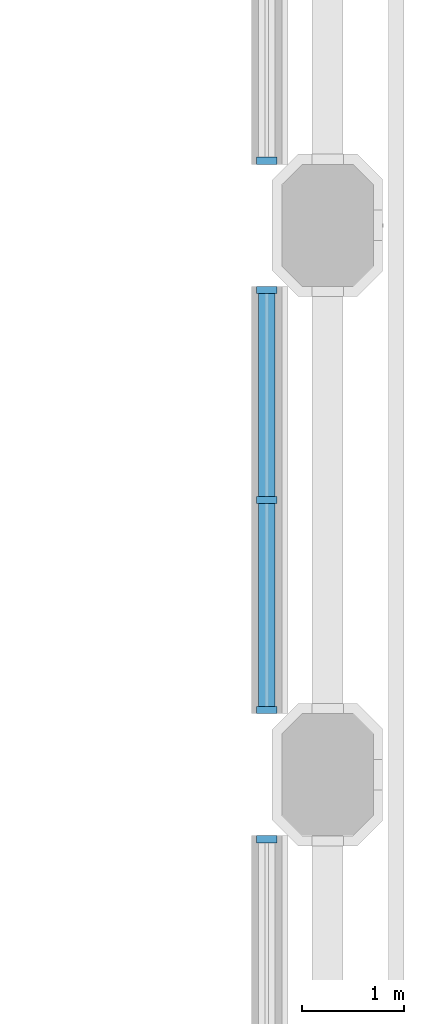
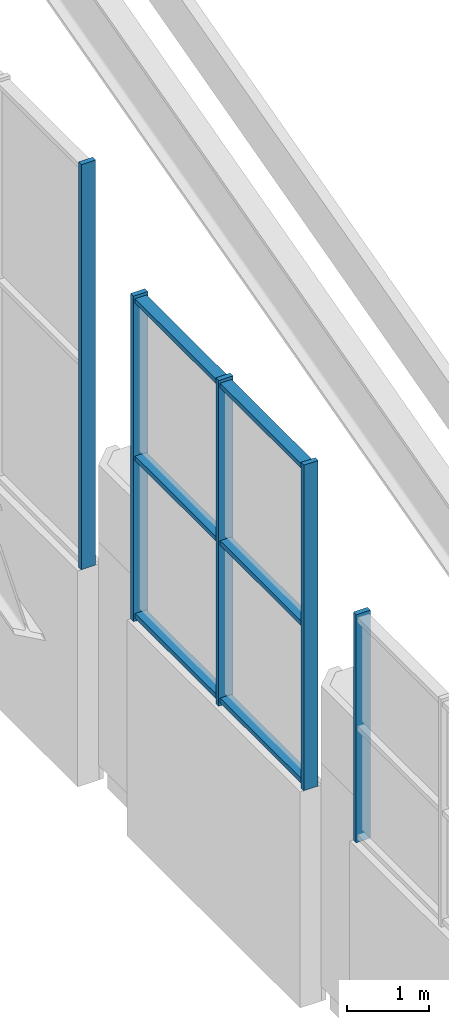
# One storey, part 18 of 42: 11 members, 3 elements without a shape of their own.
"""IFC4 building model written with IfcOpenShell, lengths in metres."""

from ifc_helpers import new_model, si_unit, direction, frame, origin, origin_2d, place, context, subcontext, project, spatial, rectangle, extrude, material, material_profile, profile_set, type_object, element, aggregate, save


model = new_model("IFC4")

# Units and contexts
model_context = context("Model", 3, precision=1e-05, world=origin(), true_north=direction((0.0, 1.0)))
body_context = subcontext(model_context, "Body", "Model", "MODEL_VIEW")
ifc_project = project(units=[si_unit("LENGTHUNIT", "METRE"), si_unit("AREAUNIT", "SQUARE_METRE"), si_unit("VOLUMEUNIT", "CUBIC_METRE"), si_unit("PLANEANGLEUNIT", "RADIAN"), si_unit("MASSUNIT", "GRAM", prefix="KILO")], contexts=[model_context])

# Site, building, storey
site_placement = place(None, origin())
site = spatial("IfcSite", under=ifc_project, at=site_placement, CompositionType="ELEMENT")
building_placement = place(site_placement, origin())
building = spatial("IfcBuilding", under=site, at=building_placement, Name="Tabaq Tower and Sports Hall", CompositionType="ELEMENT")
storey_placement = place(building_placement, frame((0.0, 0.0, 19.800048828125)))
storey = spatial("IfcBuildingStorey", under=building, at=storey_placement, Name="L03", CompositionType="ELEMENT", Elevation=19.800048828125)

# Curtain wall, member
ifc_material_1 = material(Name="Aluminium alloy 6063-T6 framed glazing", Category="aluminium")
curtain_wall_type = type_object("IfcCurtainWallType", Name="CW6 curtain wall", PredefinedType="USERDEFINED", material=ifc_material_1)
curtain_wall_1_placement = place(storey_placement, origin())
curtain_wall_1 = element("IfcCurtainWall", 1, at=curtain_wall_1_placement, inside=storey, type_object=curtain_wall_type, Name="L03 E hall glazing run", ObjectType="HALL FACADE WALL", PredefinedType="USERDEFINED")
ifc_material_2 = material(Name="Aluminium alloy 6063-T6", Category="aluminium")
ifc_material_profile_1 = material_profile(ifc_material_2, rectangle(XDim=0.199951171875, YDim=0.070068359375, at=origin_2d()), Name="MULLION 200x70")
ifc_profile_set_1 = profile_set([ifc_material_profile_1], Name="Aluminium alloy 6063-T6")
member_type_1 = type_object("IfcMemberType", Name="CW6 mullion 200x70", PredefinedType="MULLION", material=ifc_profile_set_1)
member_1_placement = place(storey_placement, frame((123.60009765625, 15.56494140625, 3.199951171875), z_axis=(0.0, 0.0, 1.0), x_axis=(-1.0, 0.0, 0.0)))
member_1 = element("IfcMember", 2, at=member_1_placement, type_object=member_type_1, Name="CW6 mullion 3", PredefinedType="MULLION", context=body_context, shape_type="SweptSolid", body=[
    extrude(rectangle(XDim=0.199951171875, YDim=0.070068359375, at=origin_2d()), origin(), (0.0, 0.0, 1.0), 3.376708984375),
])
aggregate(curtain_wall_1, [member_1])

# Curtain wall, members
curtain_wall_2_placement = place(storey_placement, origin())
curtain_wall_2 = element("IfcCurtainWall", 3, at=curtain_wall_2_placement, inside=storey, type_object=curtain_wall_type, Name="L03 E hall glazing run", ObjectType="HALL FACADE WALL", PredefinedType="USERDEFINED")
member_2_placement = place(storey_placement, frame((123.60009765625, 16.8349609375, 3.199951171875), z_axis=(0.0, 0.0, 1.0), x_axis=(-1.0, 0.0, 0.0)))
member_2 = element("IfcMember", 4, at=member_2_placement, type_object=member_type_1, Name="CW6 mullion 1", PredefinedType="MULLION", context=body_context, shape_type="SweptSolid", body=[
    extrude(rectangle(XDim=0.199951171875, YDim=0.070068359375, at=origin_2d()), origin(), (0.0, 0.0, 1.0), 4.82373046875),
])
member_3_placement = place(storey_placement, frame((123.60009765625, 18.89990234375, 3.199951171875), z_axis=(0.0, 0.0, 1.0), x_axis=(-1.0, 0.0, 0.0)))
member_3 = element("IfcMember", 5, at=member_3_placement, type_object=member_type_1, Name="CW6 mullion 2", PredefinedType="MULLION", context=body_context, shape_type="SweptSolid", body=[
    extrude(rectangle(XDim=0.199951171875, YDim=0.070068359375, at=origin_2d()), origin(), (0.0, 0.0, 1.0), 4.82373046875),
])
member_4_placement = place(storey_placement, frame((123.60009765625, 20.965087890625, 3.199951171875), z_axis=(0.0, 0.0, 1.0), x_axis=(-1.0, 0.0, 0.0)))
member_4 = element("IfcMember", 6, at=member_4_placement, type_object=member_type_1, Name="CW6 mullion 3", PredefinedType="MULLION", context=body_context, shape_type="SweptSolid", body=[
    extrude(rectangle(XDim=0.199951171875, YDim=0.070068359375, at=origin_2d()), origin(), (0.0, 0.0, 1.0), 4.82373046875),
])

# Curtain wall, member
curtain_wall_3_placement = place(storey_placement, origin())
curtain_wall_3 = element("IfcCurtainWall", 7, at=curtain_wall_3_placement, inside=storey, type_object=curtain_wall_type, Name="L03 E hall glazing run", ObjectType="HALL FACADE WALL", PredefinedType="USERDEFINED")
member_5_placement = place(storey_placement, frame((123.60009765625, 22.235107421875, 3.199951171875), z_axis=(0.0, 0.0, 1.0), x_axis=(-1.0, 0.0, 0.0)))
member_5 = element("IfcMember", 8, at=member_5_placement, type_object=member_type_1, Name="CW6 mullion 1", PredefinedType="MULLION", context=body_context, shape_type="SweptSolid", body=[
    extrude(rectangle(XDim=0.199951171875, YDim=0.070068359375, at=origin_2d()), origin(), (0.0, 0.0, 1.0), 6.0),
])
aggregate(curtain_wall_3, [member_5])

# Member
ifc_material_3 = material(Name="Aluminium alloy 6063-T6", Category="aluminium")
ifc_material_profile_2 = material_profile(ifc_material_3, rectangle(XDim=0.159912109375, YDim=0.070068359375, at=origin_2d()), Name="TRANSOM 160x70")
ifc_profile_set_2 = profile_set([ifc_material_profile_2], Name="Aluminium alloy 6063-T6")
member_type_2 = type_object("IfcMemberType", Name="CW6 transom 160x70", PredefinedType="USERDEFINED", material=ifc_profile_set_2)
member_6_placement = place(storey_placement, frame((123.60009765625, 16.8701171875, 3.280029296875), z_axis=(0.0, 1.0, 0.0), x_axis=(-1.0, 0.0, 0.0)))
member_6 = element("IfcMember", 9, at=member_6_placement, type_object=member_type_2, Name="CW6 transom 1.1", ObjectType="TRANSOM", PredefinedType="USERDEFINED", context=body_context, shape_type="SweptSolid", body=[
    extrude(rectangle(XDim=0.159912109375, YDim=0.070068359375, at=origin_2d()), origin(), (0.0, 0.0, 1.0), 1.994873046875),
])

member_7_placement = place(storey_placement, frame((123.60009765625, 16.8701171875, 5.61181640625), z_axis=(0.0, 1.0, 0.0), x_axis=(-1.0, 0.0, 0.0)))
member_7 = element("IfcMember", 10, at=member_7_placement, type_object=member_type_2, Name="CW6 transom 1.2", ObjectType="TRANSOM", PredefinedType="USERDEFINED", context=body_context, shape_type="SweptSolid", body=[
    extrude(rectangle(XDim=0.159912109375, YDim=0.070068359375, at=origin_2d()), origin(), (0.0, 0.0, 1.0), 1.994873046875),
])

member_8_placement = place(storey_placement, frame((123.60009765625, 16.8701171875, 7.943603515625), z_axis=(0.0, 1.0, 0.0), x_axis=(-1.0, 0.0, 0.0)))
member_8 = element("IfcMember", 11, at=member_8_placement, type_object=member_type_2, Name="CW6 transom 1.3", ObjectType="TRANSOM", PredefinedType="USERDEFINED", context=body_context, shape_type="SweptSolid", body=[
    extrude(rectangle(XDim=0.159912109375, YDim=0.070068359375, at=origin_2d()), origin(), (0.0, 0.0, 1.0), 1.994873046875),
])

member_9_placement = place(storey_placement, frame((123.60009765625, 18.93505859375, 3.280029296875), z_axis=(0.0, 1.0, 0.0), x_axis=(-1.0, 0.0, 0.0)))
member_9 = element("IfcMember", 12, at=member_9_placement, type_object=member_type_2, Name="CW6 transom 2.1", ObjectType="TRANSOM", PredefinedType="USERDEFINED", context=body_context, shape_type="SweptSolid", body=[
    extrude(rectangle(XDim=0.159912109375, YDim=0.070068359375, at=origin_2d()), origin(), (0.0, 0.0, 1.0), 1.994873046875),
])

member_10_placement = place(storey_placement, frame((123.60009765625, 18.93505859375, 5.61181640625), z_axis=(0.0, 1.0, 0.0), x_axis=(-1.0, 0.0, 0.0)))
member_10 = element("IfcMember", 13, at=member_10_placement, type_object=member_type_2, Name="CW6 transom 2.2", ObjectType="TRANSOM", PredefinedType="USERDEFINED", context=body_context, shape_type="SweptSolid", body=[
    extrude(rectangle(XDim=0.159912109375, YDim=0.070068359375, at=origin_2d()), origin(), (0.0, 0.0, 1.0), 1.994873046875),
])

member_11_placement = place(storey_placement, frame((123.60009765625, 18.93505859375, 7.943603515625), z_axis=(0.0, 1.0, 0.0), x_axis=(-1.0, 0.0, 0.0)))
member_11 = element("IfcMember", 14, at=member_11_placement, type_object=member_type_2, Name="CW6 transom 2.3", ObjectType="TRANSOM", PredefinedType="USERDEFINED", context=body_context, shape_type="SweptSolid", body=[
    extrude(rectangle(XDim=0.159912109375, YDim=0.070068359375, at=origin_2d()), origin(), (0.0, 0.0, 1.0), 1.994873046875),
])

aggregate(curtain_wall_2, [member_2, member_3, member_4, member_6, member_7, member_8, member_9, member_10, member_11])

save(model, "model.ifc")
